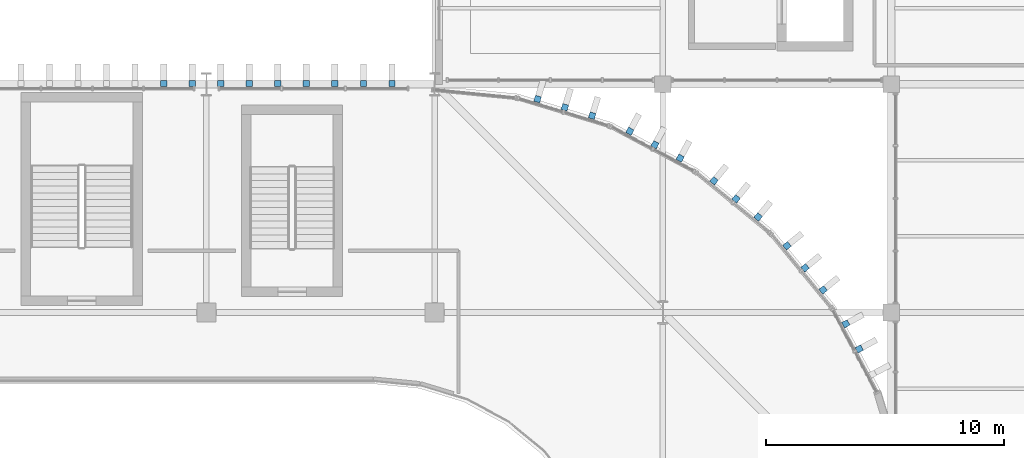
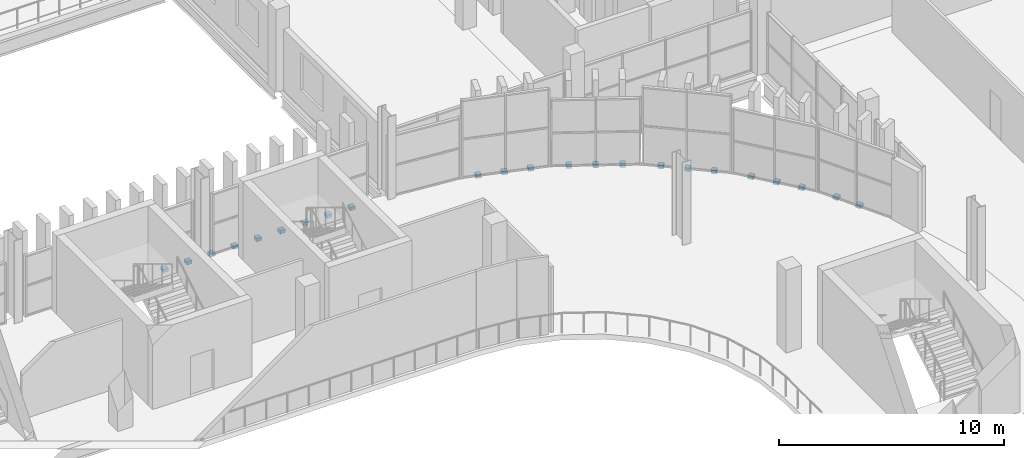
# One storey, part 60 of 75: 23 discrete accessories.
"""IFC4 building model written with IfcOpenShell, lengths in metres."""

from ifc_helpers import new_model, si_unit, direction, frame, origin, origin_2d, place, context, subcontext, project, spatial, rectangle, extrude, material, type_object, element, save


model = new_model("IFC4")

# Units and contexts
model_context = context("Model", 3, precision=1e-05, world=origin(), true_north=direction((0.0, 1.0)))
body_context = subcontext(model_context, "Body", "Model", "MODEL_VIEW")
ifc_project = project(units=[si_unit("LENGTHUNIT", "METRE"), si_unit("AREAUNIT", "SQUARE_METRE"), si_unit("VOLUMEUNIT", "CUBIC_METRE"), si_unit("PLANEANGLEUNIT", "RADIAN"), si_unit("MASSUNIT", "GRAM", prefix="KILO")], contexts=[model_context])

# Site, building, storey
site_placement = place(None, origin())
site = spatial("IfcSite", under=ifc_project, at=site_placement, CompositionType="ELEMENT")
building_placement = place(site_placement, origin())
building = spatial("IfcBuilding", under=site, at=building_placement, Name="Caelomonte Colonnade Arena", CompositionType="ELEMENT")
storey_placement = place(building_placement, frame((0.0, 0.0, 14.10009765625)))
storey = spatial("IfcBuildingStorey", under=building, at=storey_placement, Name="L03", CompositionType="ELEMENT", Elevation=14.10009765625)

# Discrete accessories
ifc_material = material(Name="Steel ASTM A572 Grade 50", Category="steel")
discrete_accessory_type = type_object("IfcDiscreteAccessoryType", Name="ENV-ACC-BRK", PredefinedType="BRACKET", material=ifc_material)
for number, where, z_axis, x_axis, name in (
    (1, (161.857666015625, 104.06591796875, -0.2099609375), (0.0, 0.0, 1.0), (-0.471396736826, 0.881921264348, 0.0), "V1 L03 fin support bracket 76"),
    (2, (161.2919921875, 105.1240234375, -0.2099609375), (0.0, 0.0, 1.0), (-0.471396736826, 0.881921264348, 0.0), "V1 L03 fin support bracket 77"),
    (3, (160.339599609375, 106.549560546875, -0.2099609375), (0.0, 0.0, 1.0), (-0.634413521313, 0.77299384472, 0.0), "V1 L03 fin support bracket 78"),
    (4, (159.578125, 107.47705078125, -0.2099609375), (0.0, 0.0, 1.0), (-0.634413521313, 0.77299384472, 0.0), "V1 L03 fin support bracket 79"),
    (5, (158.81689453125, 108.40478515625, -0.2099609375), (0.0, 0.0, 1.0), (-0.634413521313, 0.77299384472, 0.0), "V1 L03 fin support bracket 80"),
    (6, (157.604736328125, 109.616943359375, -0.2099609375), (0.0, 0.0, 1.0), (-0.77299384472, 0.634413521313, 0.0), "V1 L03 fin support bracket 81"),
    (7, (156.677001953125, 110.378173828125, -0.2099609375), (0.0, 0.0, 1.0), (-0.77299384472, 0.634413521313, 0.0), "V1 L03 fin support bracket 82"),
    (8, (155.74951171875, 111.139404296875, -0.2099609375), (0.0, 0.0, 1.0), (-0.77299384472, 0.634413521313, 0.0), "V1 L03 fin support bracket 83"),
    (9, (154.32421875, 112.092041015625, -0.2099609375), (0.0, 0.0, 1.0), (-0.881921264348, 0.471396736826, 0.0), "V1 L03 fin support bracket 84"),
    (10, (153.265869140625, 112.65771484375, -0.2099609375), (0.0, 0.0, 1.0), (-0.881921264348, 0.471396736826, 0.0), "V1 L03 fin support bracket 85"),
    (11, (152.20751953125, 113.223388671875, -0.2099609375), (0.0, 0.0, 1.0), (-0.881921264348, 0.471396736826, 0.0), "V1 L03 fin support bracket 86"),
    (12, (150.623779296875, 113.87939453125, -0.2099609375), (0.0, 0.0, 1.0), (-0.956942868907, 0.290276326364, 0.0), "V1 L03 fin support bracket 87"),
    (13, (149.475341796875, 114.227783203125, -0.2099609375), (0.0, 0.0, 1.0), (-0.956942868907, 0.290276326364, 0.0), "V1 L03 fin support bracket 88"),
    (14, (148.326904296875, 114.575927734375, -0.2099609375), (0.0, 0.0, 1.0), (-0.956942868907, 0.290276326364, 0.0), "V1 L03 fin support bracket 89"),
    (15, (142.199951171875, 115.22998046875, -0.2099609375), (0.0, 0.0, 1.0), (-1.0, 0.0, 0.0), "V1 L03 fin support bracket 93"),
    (16, (141.0, 115.22998046875, -0.2099609375), (0.0, 0.0, 1.0), (-1.0, 0.0, 0.0), "V1 L03 fin support bracket 94"),
    (17, (139.800048828125, 115.22998046875, -0.2099609375), (0.0, 0.0, 1.0), (-1.0, 0.0, 0.0), "V1 L03 fin support bracket 95"),
    (18, (138.60009765625, 115.22998046875, -0.2099609375), (0.0, 0.0, 1.0), (-1.0, 0.0, 0.0), "V1 L03 fin support bracket 96"),
    (19, (137.39990234375, 115.22998046875, -0.2099609375), (0.0, 0.0, 1.0), (-1.0, 0.0, 0.0), "V1 L03 fin support bracket 97"),
    (20, (136.199951171875, 115.22998046875, -0.2099609375), (0.0, 0.0, 1.0), (-1.0, 0.0, 0.0), "V1 L03 fin support bracket 98"),
    (21, (135.0, 115.22998046875, -0.2099609375), (0.0, 0.0, 1.0), (-1.0, 0.0, 0.0), "V1 L03 fin support bracket 99"),
    (22, (133.800048828125, 115.22998046875, -0.2099609375), (0.0, 0.0, 1.0), (-1.0, 0.0, 0.0), "V1 L03 fin support bracket 100"),
    (23, (132.60009765625, 115.22998046875, -0.2099609375), (0.0, 0.0, 1.0), (-1.0, 0.0, 0.0), "V1 L03 fin support bracket 101"),
):
    element("IfcDiscreteAccessory", number, at=place(storey_placement, frame(where, z_axis=z_axis, x_axis=x_axis)), inside=storey, type_object=discrete_accessory_type, Name=name, PredefinedType="BRACKET", context=body_context, shape_type="SweptSolid", body=[
        extrude(rectangle(XDim=0.260009765625, YDim=0.260009765625, at=origin_2d()), origin(), (0.0, 0.0, 1.0), 0.179931640625),
    ])

save(model, "model.ifc")
